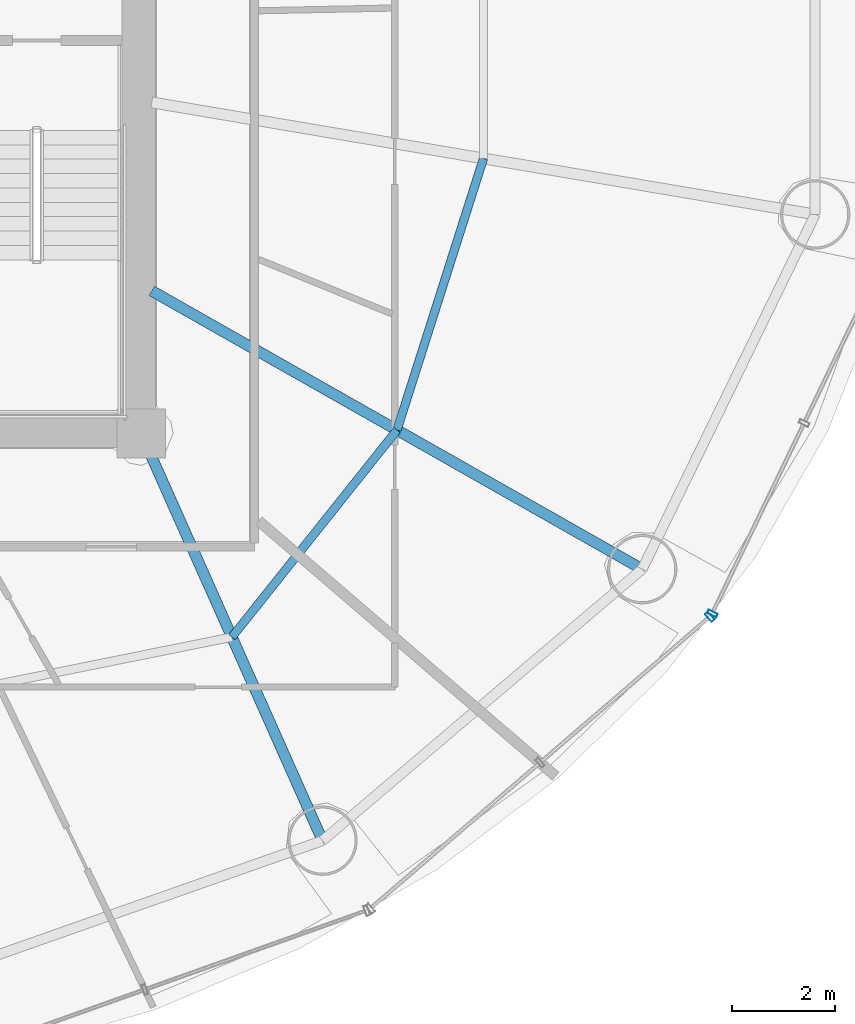
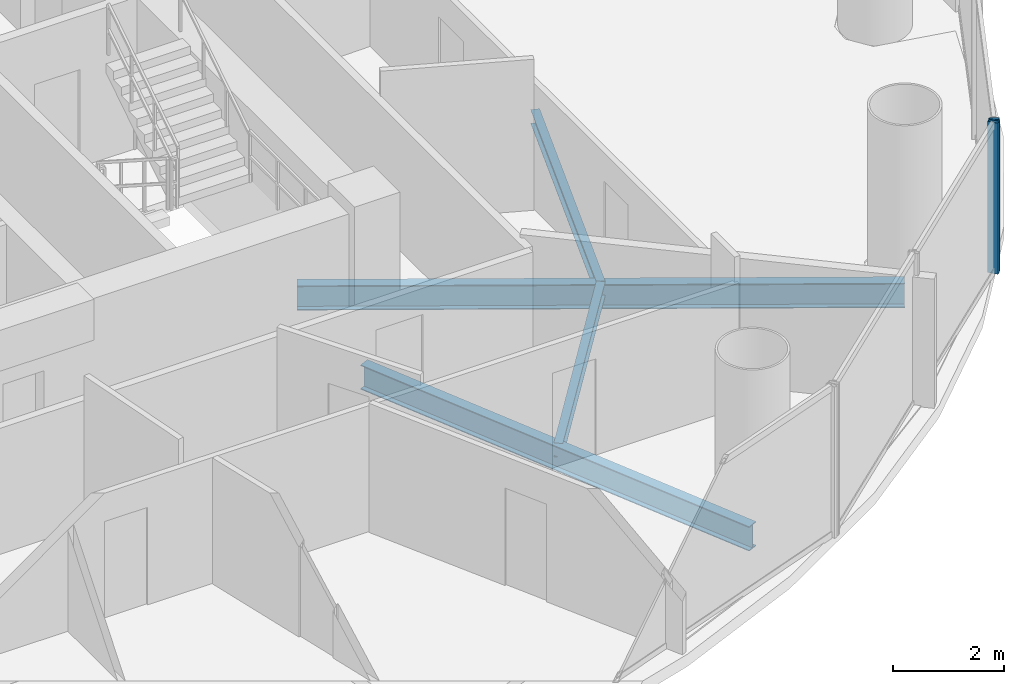
# One storey, part 10 of 27: 4 beams, 2 members, 2 elements without a shape of their own.
"""IFC4 building model written with IfcOpenShell, lengths in metres."""

from ifc_helpers import new_model, si_unit, direction, frame, origin, origin_2d, place, context, subcontext, project, spatial, hollow_rectangle, i_section, extrude, source, transform, mapped, material, material_profile, profile_set, type_object, element, aggregate, save


model = new_model("IFC4")

# Units and contexts
model_context = context("Model", 3, precision=1e-05, world=origin(), true_north=direction((-0.2419218956, 0.970295726276)))
body_context = subcontext(model_context, "Body", "Model", "MODEL_VIEW")
ifc_project = project(units=[si_unit("LENGTHUNIT", "METRE"), si_unit("AREAUNIT", "SQUARE_METRE"), si_unit("VOLUMEUNIT", "CUBIC_METRE"), si_unit("PLANEANGLEUNIT", "RADIAN"), si_unit("MASSUNIT", "GRAM", prefix="KILO")], contexts=[model_context])

# Site, building, storey
site_placement = place(None, origin())
site = spatial("IfcSite", under=ifc_project, at=site_placement, CompositionType="ELEMENT")
building_placement = place(site_placement, origin())
building = spatial("IfcBuilding", under=site, at=building_placement, Name="Cobrevalo Terracotta Tower", CompositionType="ELEMENT")
storey_placement = place(building_placement, frame((0.0, 0.0, 153.39990234375)))
storey = spatial("IfcBuildingStorey", under=building, at=storey_placement, Name="L40", CompositionType="ELEMENT", Elevation=153.39990234375)

# Beams
ifc_material_1 = material(Name="Steel S355", Category="steel")
ifc_material_profile_1 = material_profile(ifc_material_1, i_section(OverallWidth=0.2109375, OverallDepth=0.5390625, WebThickness=0.01171875, FlangeThickness=0.018798828125, at=origin_2d()), Name="W 530x109")
ifc_profile_set_1 = profile_set([ifc_material_profile_1], Name="Steel S355")
beam_type_1 = type_object("IfcBeamType", Name="Structural Beam W 530x109 (Steel S355)", PredefinedType="BEAM", material=ifc_profile_set_1)
beam_1_placement = place(storey_placement, frame((50.528076171875, 10.87744140625, -0.539306640625), z_axis=(-0.406804395691, 0.913515289224, 0.0), x_axis=(-0.913515289224, -0.406804395691, 0.0)))
element("IfcBeam", 1, at=beam_1_placement, inside=storey, type_object=beam_type_1, Name="L40 radial floor girder 14", PredefinedType="BEAM", context=body_context, shape_type="SweptSolid", body=[
    extrude(i_section(OverallWidth=0.2109375, OverallDepth=0.5390625, WebThickness=0.01171875, FlangeThickness=0.018798828125, at=origin_2d()), origin(), (0.0, 0.0, 1.0), 8.672607421875),
])
beam_2_placement = place(storey_placement, frame((56.749755859375, 16.160888671875, -0.539306640625), z_axis=(-0.869743726706, 0.493503647257, 0.0), x_axis=(-0.493503647257, -0.869743726706, 0.0)))
element("IfcBeam", 2, at=beam_2_placement, inside=storey, type_object=beam_type_1, Name="L40 radial floor girder 15", PredefinedType="BEAM", context=body_context, shape_type="SweptSolid", body=[
    extrude(i_section(OverallWidth=0.2109375, OverallDepth=0.5390625, WebThickness=0.01171875, FlangeThickness=0.018798828125, at=origin_2d()), origin(), (0.0, 0.0, 1.0), 10.97412109375),
])
ifc_material_profile_2 = material_profile(ifc_material_1, i_section(OverallWidth=0.1650390625, OverallDepth=0.31005859375, WebThickness=0.005859375, FlangeThickness=0.009765625, at=origin_2d()), Name="W 310x38.7")
ifc_profile_set_2 = profile_set([ifc_material_profile_2], Name="Steel S355")
beam_type_2 = type_object("IfcBeamType", Name="Structural Joist W 310x38.7 (Steel S355)", PredefinedType="JOIST", material=ifc_profile_set_2)
beam_3_placement = place(storey_placement, frame((48.76416015625, 14.838623046875, -0.4248046875), z_axis=(0.623382939397, 0.781916690492, 0.0), x_axis=(-0.781916690492, 0.623382939397, 0.0)))
element("IfcBeam", 3, at=beam_3_placement, inside=storey, type_object=beam_type_2, Name="L40 circumferential secondary floor joist 14", PredefinedType="JOIST", context=body_context, shape_type="SweptSolid", body=[
    extrude(i_section(OverallWidth=0.1650390625, OverallDepth=0.31005859375, WebThickness=0.005859375, FlangeThickness=0.009765625, at=origin_2d()), origin(), (0.0, 0.0, 1.0), 5.154296875),
])
beam_4_placement = place(storey_placement, frame((51.977294921875, 18.868896484375, -0.4248046875), z_axis=(0.303497928386, 0.952832098255, 0.0), x_axis=(-0.952832098255, 0.303497928386, 0.0)))
element("IfcBeam", 4, at=beam_4_placement, inside=storey, type_object=beam_type_2, Name="L40 circumferential secondary floor joist 15", PredefinedType="JOIST", context=body_context, shape_type="SweptSolid", body=[
    extrude(i_section(OverallWidth=0.1650390625, OverallDepth=0.31005859375, WebThickness=0.005859375, FlangeThickness=0.009765625, at=origin_2d()), origin(), (0.0, 0.0, 1.0), 5.54736328125),
])

# Curtain wall, member
ifc_material_2 = material(Name="Anodized aluminium", Category="aluminium")
curtain_wall_type = type_object("IfcCurtainWallType", Name="Mid-tower high-wind unitised curtain wall CW-U2", PredefinedType="NOTDEFINED", material=ifc_material_2)
curtain_wall_1_placement = place(storey_placement, origin())
curtain_wall_1 = element("IfcCurtainWall", 5, at=curtain_wall_1_placement, inside=storey, type_object=curtain_wall_type, Name="L40 curtain wall CW-L40-S14", PredefinedType="NOTDEFINED")
ifc_material_profile_3 = material_profile(ifc_material_2, hollow_rectangle(XDim=0.074951171875, YDim=0.199951171875, WallThickness=0.0048828125, at=origin_2d()), Name="CWM 75x200")
ifc_profile_set_3 = profile_set([ifc_material_profile_3], Name="Anodized aluminium")
member_type = type_object("IfcMemberType", Name="Lower/mid tower unitised mullion 75x200", PredefinedType="MULLION", material=ifc_profile_set_3)
shared_shape = source(origin(), body_context, "Body", "SweptSolid", [
    extrude(hollow_rectangle(XDim=0.074951171875, YDim=0.199951171875, WallThickness=0.0048828125, at=origin_2d()), origin(), (0.0, 0.0, 1.0), 3.330078125),
])
member_1_placement = place(storey_placement, frame((58.066162109375, 15.234619140625, 0.0), z_axis=(0.0, 0.0, 1.0), x_axis=(0.758441546142, 0.65174106905, 0.0)))
member_1 = element("IfcMember", 6, at=member_1_placement, type_object=member_type, Name="CW-L40-S14 vertical mullion 03", PredefinedType="MULLION", context=body_context, shape_type="MappedRepresentation", body=[
    mapped(shared_shape, transform((0.0, 0.0, 0.0), scale=1.0)),
])
aggregate(curtain_wall_1, [member_1])

curtain_wall_2_placement = place(storey_placement, origin())
curtain_wall_2 = element("IfcCurtainWall", 7, at=curtain_wall_2_placement, inside=storey, type_object=curtain_wall_type, Name="L40 curtain wall CW-L40-S15", PredefinedType="NOTDEFINED")
member_2_placement = place(storey_placement, frame((58.114013671875, 15.296875, 0.0), z_axis=(0.0, 0.0, 1.0), x_axis=(0.434209440271, 0.900811945957, 0.0)))
member_2 = element("IfcMember", 8, at=member_2_placement, type_object=member_type, Name="CW-L40-S15 vertical mullion 01", PredefinedType="MULLION", context=body_context, shape_type="MappedRepresentation", body=[
    mapped(shared_shape, transform((0.0, 0.0, 0.0), scale=1.0)),
])
aggregate(curtain_wall_2, [member_2])

save(model, "model.ifc")
